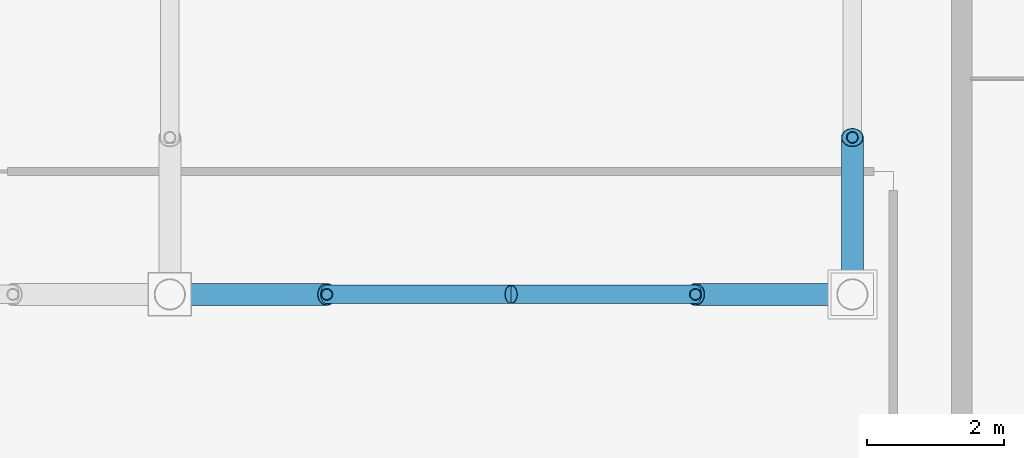
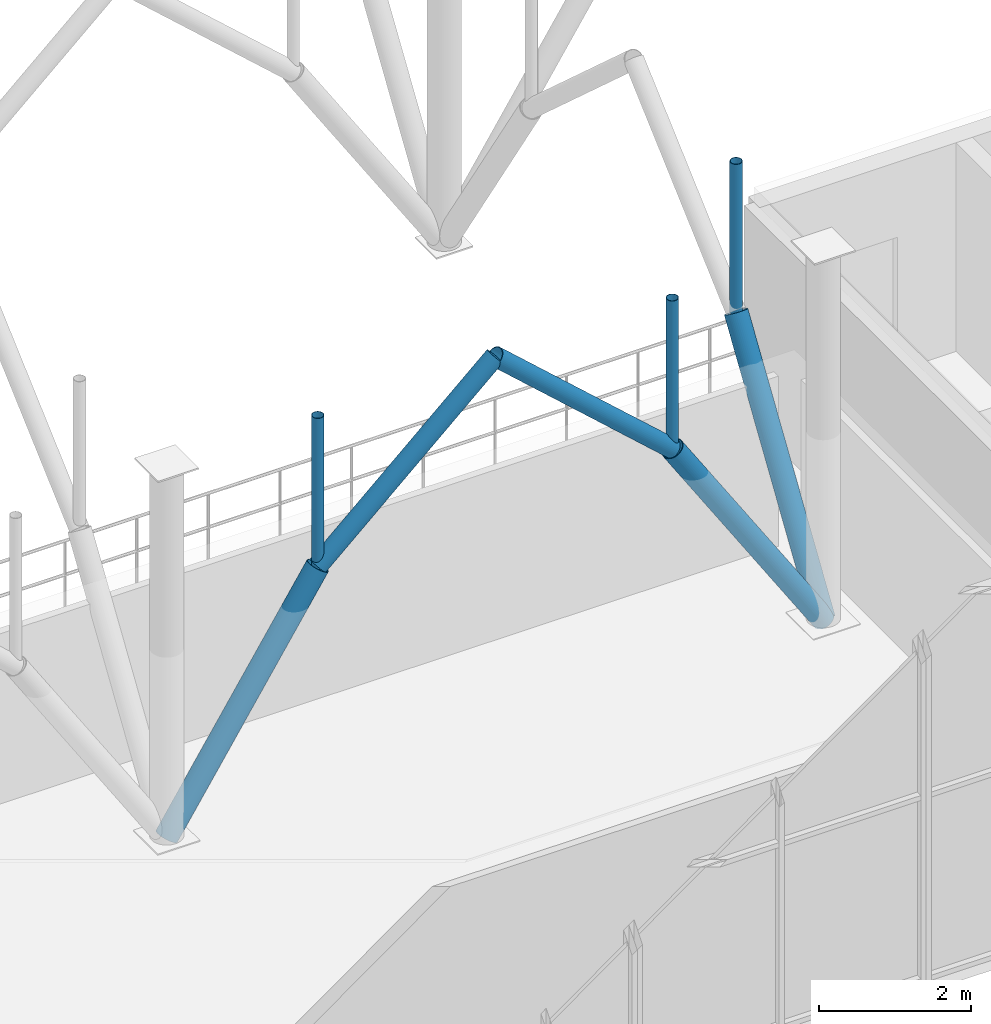
# One storey, part 63 of 109: 8 members.
"""IFC4 building model written with IfcOpenShell, lengths in metres."""

from ifc_helpers import new_model, si_unit, derived_unit, direction, frame, origin, origin_2d_with_axis, place, context, subcontext, project, spatial, hollow_circle, extrude, material, material_profile, profile_set, type_object, element, save


model = new_model("IFC4")

# Units and contexts
model_context = context("Model", 3, precision=1e-05, world=origin(), true_north=direction((0.0, 1.0)))
body_context = subcontext(model_context, "Body", "Model", "MODEL_VIEW")
ifc_project = project(units=[si_unit("LENGTHUNIT", "METRE"), si_unit("AREAUNIT", "SQUARE_METRE"), si_unit("VOLUMEUNIT", "CUBIC_METRE"), si_unit("PLANEANGLEUNIT", "RADIAN"), si_unit("MASSUNIT", "GRAM", prefix="KILO"), derived_unit("THERMALTRANSMITTANCEUNIT", [(si_unit("POWERUNIT", "WATT"), 1), (si_unit("LENGTHUNIT", "METRE"), -2), (si_unit("THERMODYNAMICTEMPERATUREUNIT", "KELVIN"), -1)])], contexts=[model_context])

# Site, building, storey
site_placement = place(None, origin())
site = spatial("IfcSite", under=ifc_project, at=site_placement, CompositionType="ELEMENT")
building_placement = place(site_placement, origin())
building = spatial("IfcBuilding", under=site, at=building_placement, Name="Cinnabar Yard Market Hall", CompositionType="ELEMENT")
storey_placement = place(building_placement, frame((0.0, 0.0, 8.39990234375)))
storey = spatial("IfcBuildingStorey", under=building, at=storey_placement, Name="L02", CompositionType="ELEMENT", Elevation=8.39990234375)

# Members
ifc_material_1 = material(Name="Spotted-gum glulam-clad steel Grade 350 (350 MPa)", Category="steel")
ifc_material_profile_1 = material_profile(ifc_material_1, hollow_circle(Radius=0.136474609375, WallThickness=0.00927734375, at=origin_2d_with_axis()), Name="273.1x9.3CHS")
ifc_profile_set_1 = profile_set([ifc_material_profile_1], Name="Spotted-gum glulam-clad steel Grade 350 (350 MPa)")
member_type_1 = type_object("IfcMemberType", Name="MB-AR01", PredefinedType="USERDEFINED", material=ifc_profile_set_1)
for number, where, z_axis, x_axis, name in (
    (1, (128.300048828125, 24.0, 3.550048828125), (0.743297488271, 0.0, 0.668961018244), (0.0, 1.0, 0.0), "Pointed Arch Rib 0082"),
    (2, (133.699951171875, 24.0, 3.550048828125), (-0.743297488271, 0.0, 0.668961018244), (0.0, -1.0, 0.0), "Pointed Arch Rib 0100"),
):
    element("IfcMember", number, at=place(storey_placement, frame(where, z_axis=z_axis, x_axis=x_axis)), inside=storey, type_object=member_type_1, Name=name, ObjectType="ARCH RIB", PredefinedType="USERDEFINED", context=body_context, shape_type="SweptSolid", body=[
        extrude(hollow_circle(Radius=0.136474609375, WallThickness=0.00927734375, at=origin_2d_with_axis()), origin(), (0.0, 0.0, 1.0), 3.63232421875),
    ])
ifc_material_profile_2 = material_profile(ifc_material_1, hollow_circle(Radius=0.161865234375, WallThickness=0.009521484375, at=origin_2d_with_axis()), Name="323.9x9.5CHS")
ifc_profile_set_2 = profile_set([ifc_material_profile_2], Name="Spotted-gum glulam-clad steel Grade 350 (350 MPa)")
member_type_2 = type_object("IfcMemberType", Name="MB-ST01", PredefinedType="STRUT", material=ifc_profile_set_2)
for number, where, z_axis, x_axis, name in (
    (3, (126.0, 24.0, 0.0), (0.543744165176, 0.0, 0.839251024925), (0.0, 1.0, 0.0), "Curved Branch Arm Lower 0082"),
    (4, (136.0, 24.0, 0.0), (-0.543744165176, 0.0, 0.839251024925), (0.0, -1.0, 0.0), "Curved Branch Arm Lower 0100"),
    (5, (136.0, 24.0, 0.0), (0.0, 0.543744165176, 0.839251024925), (-1.0, 0.0, 0.0), "Curved Branch Arm Lower 0101"),
):
    element("IfcMember", number, at=place(storey_placement, frame(where, z_axis=z_axis, x_axis=x_axis)), inside=storey, type_object=member_type_2, Name=name, PredefinedType="STRUT", context=body_context, shape_type="SweptSolid", body=[
        extrude(hollow_circle(Radius=0.161865234375, WallThickness=0.009521484375, at=origin_2d_with_axis()), origin(), (0.0, 0.0, 1.0), 4.22998046875),
    ])
ifc_material_2 = material(Name="Cold-formed steel C350L0", Category="steel")
ifc_material_profile_3 = material_profile(ifc_material_2, hollow_circle(Radius=0.084228515625, WallThickness=0.00634765625, at=origin_2d_with_axis()), Name="168.3x6.4CHS")
ifc_profile_set_3 = profile_set([ifc_material_profile_3], Name="Cold-formed steel C350L0")
member_type_3 = type_object("IfcMemberType", Name="MB-WB01", PredefinedType="STRUT", material=ifc_profile_set_3)
for number, where, z_axis, x_axis, name in (
    (6, (128.300048828125, 24.0, 3.550048828125), (0.0, 0.0, 1.0), (1.0, 0.0, 0.0), "Arch Spandrel Post 0082"),
    (7, (133.699951171875, 24.0, 3.550048828125), (0.0, 0.0, 1.0), (1.0, 0.0, 0.0), "Arch Spandrel Post 0100"),
    (8, (136.0, 26.300048828125, 3.550048828125), (0.0, 0.0, 1.0), (1.0, 0.0, 0.0), "Arch Spandrel Post 0101"),
):
    element("IfcMember", number, at=place(storey_placement, frame(where, z_axis=z_axis, x_axis=x_axis)), inside=storey, type_object=member_type_3, Name=name, PredefinedType="STRUT", context=body_context, shape_type="SweptSolid", body=[
        extrude(hollow_circle(Radius=0.084228515625, WallThickness=0.00634765625, at=origin_2d_with_axis()), origin(), (0.0, 0.0, 1.0), 2.429931640625),
    ])

save(model, "model.ifc")
